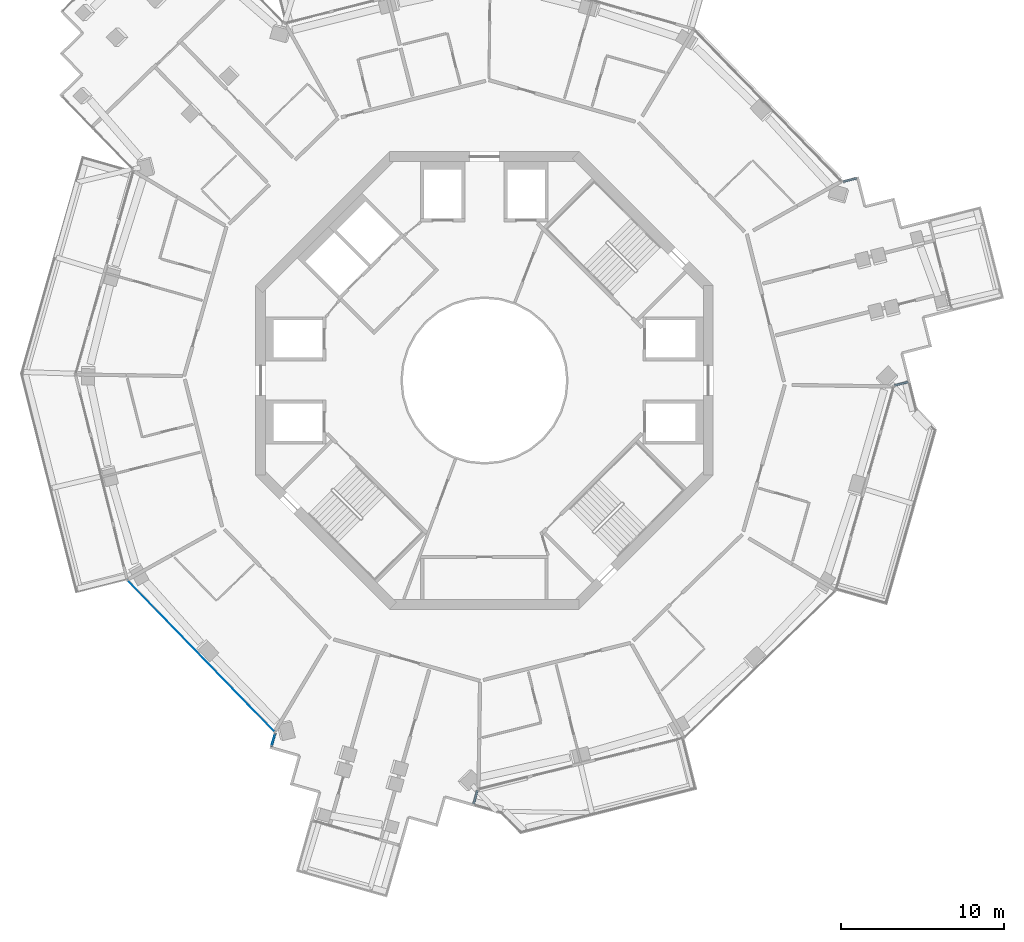
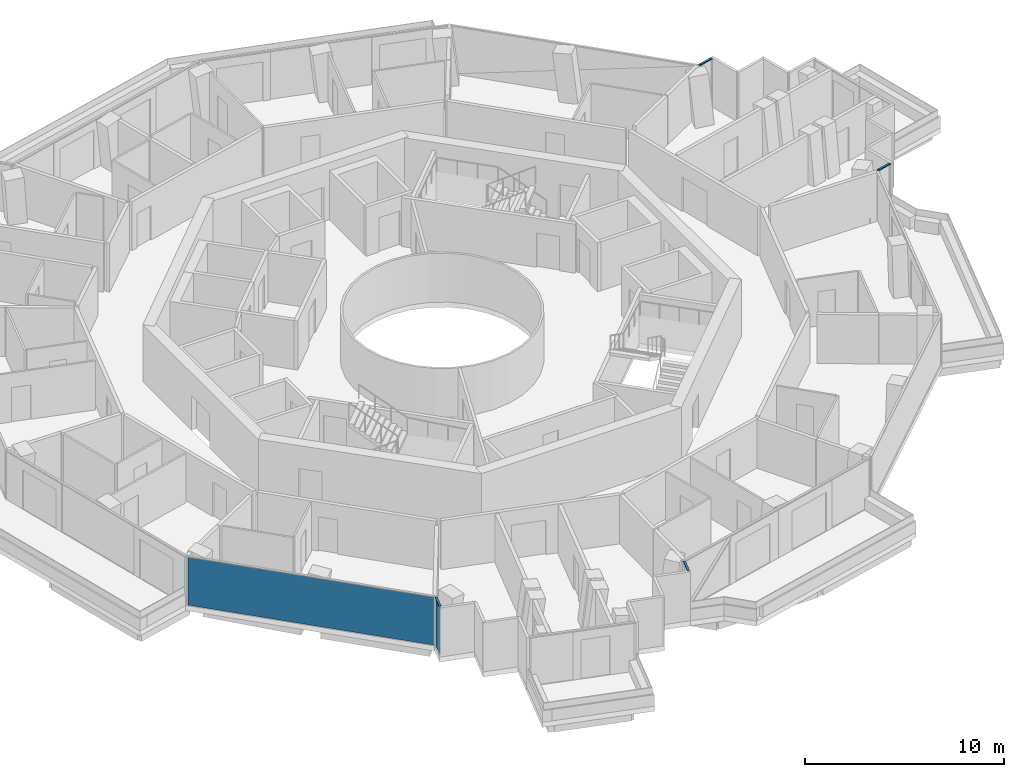
# One storey, part 11 of 24: 4 members, 2 plates, 5 elements without a shape of their own.
"""IFC4 building model written with IfcOpenShell, lengths in metres."""

from ifc_helpers import new_model, si_unit, direction, frame, origin, origin_2d, place, context, subcontext, project, spatial, rectangle, extrude, material, layer, layer_set, material_profile, profile_set, type_object, element, aggregate, save


model = new_model("IFC4")

# Units and contexts
model_context = context("Model", 3, precision=1e-05, world=origin(), true_north=direction((0.0, 1.0)))
body_context = subcontext(model_context, "Body", "Model", "MODEL_VIEW")
ifc_project = project(units=[si_unit("LENGTHUNIT", "METRE"), si_unit("AREAUNIT", "SQUARE_METRE"), si_unit("VOLUMEUNIT", "CUBIC_METRE"), si_unit("PLANEANGLEUNIT", "RADIAN"), si_unit("MASSUNIT", "GRAM", prefix="KILO")], contexts=[model_context])

# Site, building, storey
site_placement = place(None, origin())
site = spatial("IfcSite", under=ifc_project, at=site_placement, CompositionType="ELEMENT")
building_placement = place(site_placement, origin())
building = spatial("IfcBuilding", under=site, at=building_placement, Name="Verdalira Terraces Hotel", CompositionType="ELEMENT")
storey_placement = place(building_placement, frame((0.0, 0.0, 212.5)))
storey = spatial("IfcBuildingStorey", under=building, at=storey_placement, Name="L52", CompositionType="ELEMENT", Elevation=212.5)

# Curtain wall, member
ifc_material_1 = material(Name="Clear glass", Category="glass")
ifc_layer_1 = layer(ifc_material_1, 0.14990234375)
ifc_layer_set_1 = layer_set([ifc_layer_1], Name="CW2 curtain wall")
curtain_wall_type_1 = type_object("IfcCurtainWallType", Name="CW2 curtain wall", PredefinedType="NOTDEFINED", material=ifc_layer_set_1)
curtain_wall_1_placement = place(storey_placement, origin())
curtain_wall_1 = element("IfcCurtainWall", 1, at=curtain_wall_1_placement, inside=storey, type_object=curtain_wall_type_1, Name="CW2 curtain wall L52 edge 14", PredefinedType="NOTDEFINED")
ifc_material_2 = material(Name="Terracotta frame", Category="masonry")
ifc_material_profile = material_profile(ifc_material_2, rectangle(XDim=0.11499, YDim=0.064941, at=origin_2d()), Name="TR 65x115")
ifc_profile_set = profile_set([ifc_material_profile], Name="Terracotta frame")
member_type = type_object("IfcMemberType", Name="CW2 transom 65x115", PredefinedType="USERDEFINED", material=ifc_profile_set)
member_1_placement = place(storey_placement, frame((-12.80249, -21.583496, 2.967529), z_axis=(-0.272899498, -0.962042548, 0.0), x_axis=(0.962042548, -0.272899498, 0.0)))
member_1 = element("IfcMember", 2, at=member_1_placement, type_object=member_type, Name="CW2 transom", ObjectType="TRANSOM", PredefinedType="USERDEFINED", context=body_context, shape_type="SweptSolid", body=[
    extrude(rectangle(XDim=0.11499, YDim=0.064941, at=origin_2d()), origin(), (0.0, 0.0, 1.0), 0.849854),
])

curtain_wall_2_placement = place(storey_placement, origin())
curtain_wall_2 = element("IfcCurtainWall", 3, at=curtain_wall_2_placement, inside=storey, type_object=curtain_wall_type_1, Name="CW2 curtain wall L52 edge 24", PredefinedType="NOTDEFINED")
member_2_placement = place(storey_placement, frame((-0.672363, -25.908691, 2.967529), z_axis=(0.2728241, 0.962063933, 0.0), x_axis=(-0.962063933, 0.2728241, 0.0)))
member_2 = element("IfcMember", 4, at=member_2_placement, type_object=member_type, Name="CW2 transom", ObjectType="TRANSOM", PredefinedType="USERDEFINED", context=body_context, shape_type="SweptSolid", body=[
    extrude(rectangle(XDim=0.11499, YDim=0.064941, at=origin_2d()), origin(), (0.0, 0.0, 1.0), 0.850098),
])
aggregate(curtain_wall_2, [member_2])

curtain_wall_3_placement = place(storey_placement, origin())
curtain_wall_3 = element("IfcCurtainWall", 5, at=curtain_wall_3_placement, inside=storey, type_object=curtain_wall_type_1, Name="CW2 curtain wall L52 edge 28", PredefinedType="NOTDEFINED")
member_3_placement = place(storey_placement, frame((25.093018, -0.29541, 2.967529), z_axis=(0.969599471, 0.244697497, 0.0), x_axis=(-0.244697497, 0.969599471, 0.0)))
member_3 = element("IfcMember", 6, at=member_3_placement, type_object=member_type, Name="CW2 transom", ObjectType="TRANSOM", PredefinedType="USERDEFINED", context=body_context, shape_type="SweptSolid", body=[
    extrude(rectangle(XDim=0.11499, YDim=0.064941, at=origin_2d()), origin(), (0.0, 0.0, 1.0), 0.850098),
])
aggregate(curtain_wall_3, [member_3])

curtain_wall_4_placement = place(storey_placement, origin())
curtain_wall_4 = element("IfcCurtainWall", 7, at=curtain_wall_4_placement, inside=storey, type_object=curtain_wall_type_1, Name="CW2 curtain wall L52 edge 38", PredefinedType="NOTDEFINED")
member_4_placement = place(storey_placement, frame((22.773682, 12.37207, 2.967529), z_axis=(-0.969599471, -0.244697497, 0.0), x_axis=(0.244697497, -0.969599471, 0.0)))
member_4 = element("IfcMember", 8, at=member_4_placement, type_object=member_type, Name="CW2 transom", ObjectType="TRANSOM", PredefinedType="USERDEFINED", context=body_context, shape_type="SweptSolid", body=[
    extrude(rectangle(XDim=0.11499, YDim=0.064941, at=origin_2d()), origin(), (0.0, 0.0, 1.0), 0.850098),
])
aggregate(curtain_wall_4, [member_4])

# Curtain wall, plate
ifc_material_3 = material(Name="Clear glass", Category="glass")
ifc_layer_2 = layer(ifc_material_3, 0.14990234375)
ifc_layer_set_2 = layer_set([ifc_layer_2], Name="CW1 curtain wall")
curtain_wall_type_2 = type_object("IfcCurtainWallType", Name="CW1 curtain wall", PredefinedType="NOTDEFINED", material=ifc_layer_set_2)
curtain_wall_5_placement = place(storey_placement, origin())
curtain_wall_5 = element("IfcCurtainWall", 9, at=curtain_wall_5_placement, inside=storey, type_object=curtain_wall_type_2, Name="CW1 curtain wall L52 edge 13", PredefinedType="NOTDEFINED")
ifc_material_4 = material(Name="Clear glass", Category="glass")
ifc_layer_3 = layer(ifc_material_4, 0.028076171875)
ifc_layer_set_3 = layer_set([ifc_layer_3], Name="CW1 glass unit 28")
plate_type_1 = type_object("IfcPlateType", Name="CW1 glass unit 28", PredefinedType="CURTAIN_PANEL", material=ifc_layer_set_3)
plate_1_placement = place(storey_placement, frame((-17.334961, -16.862061, 0.0), z_axis=(0.0, 0.0, 1.0), x_axis=(0.696664435, -0.717397146, 0.0)))
plate_1 = element("IfcPlate", 10, at=plate_1_placement, type_object=plate_type_1, Name="CW1 glass unit", PredefinedType="CURTAIN_PANEL", context=body_context, shape_type="SweptSolid", body=[
    extrude(rectangle(XDim=12.839844, YDim=0.028076, at=origin_2d()), origin(), (0.0, 0.0, 1.0), 2.935059),
])
aggregate(curtain_wall_5, [plate_1])

# Plate
ifc_material_5 = material(Name="Clear glass", Category="glass")
ifc_layer_4 = layer(ifc_material_5, 0.031982421875)
ifc_layer_set_4 = layer_set([ifc_layer_4], Name="CW2 glass unit 32")
plate_type_2 = type_object("IfcPlateType", Name="CW2 glass unit 32", PredefinedType="CURTAIN_PANEL", material=ifc_layer_set_4)
plate_2_placement = place(storey_placement, frame((-12.918457, -21.992432, 0.0), z_axis=(0.0, 0.0, 1.0), x_axis=(-0.272951936, -0.962027672, 0.0)))
plate_2 = element("IfcPlate", 11, at=plate_2_placement, type_object=plate_type_2, Name="CW2 glass unit", PredefinedType="CURTAIN_PANEL", context=body_context, shape_type="SweptSolid", body=[
    extrude(rectangle(XDim=0.709961, YDim=0.031982, at=origin_2d()), origin(), (0.0, 0.0, 1.0), 2.935059),
])

aggregate(curtain_wall_1, [member_1, plate_2])

save(model, "model.ifc")
